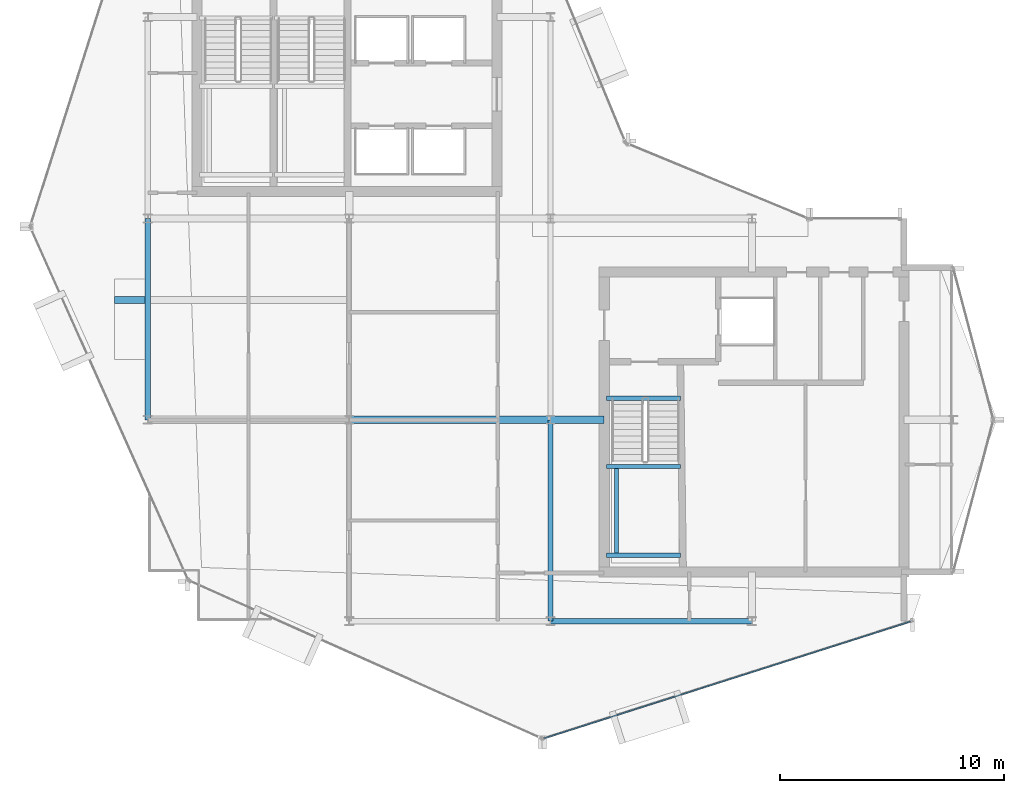
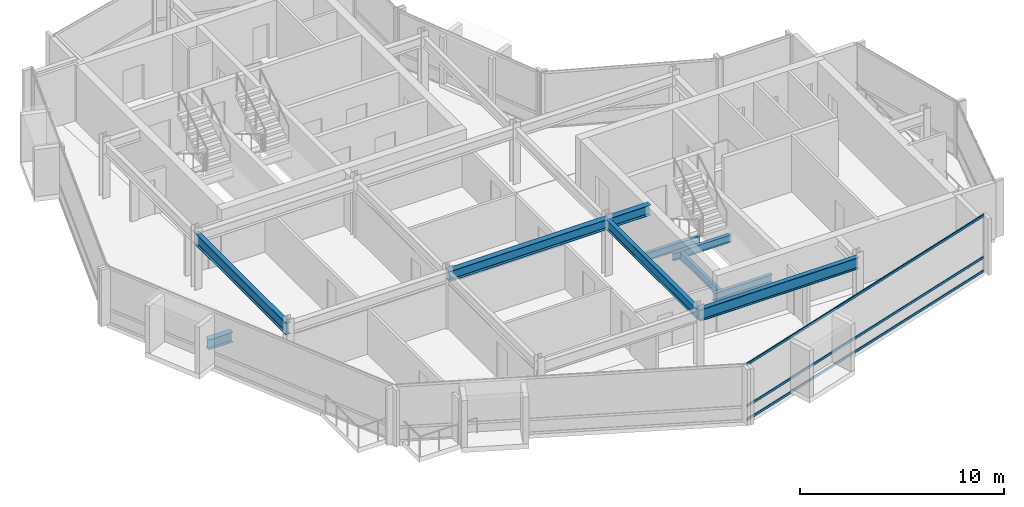
# One storey, part 5 of 19: 10 beams, 3 members, 1 element without a shape of its own.
"""IFC4 building model written with IfcOpenShell, lengths in metres."""

from ifc_helpers import new_model, si_unit, direction, frame, origin, origin_2d, place, context, subcontext, project, spatial, hollow_rectangle, i_section, extrude, material, layer, layer_set, material_profile, profile_set, type_object, element, aggregate, save


model = new_model("IFC4")

# Units and contexts
model_context = context("Model", 3, precision=1e-05, world=origin(), true_north=direction((0.0, 1.0)))
body_context = subcontext(model_context, "Body", "Model", "MODEL_VIEW")
ifc_project = project(units=[si_unit("LENGTHUNIT", "METRE"), si_unit("AREAUNIT", "SQUARE_METRE"), si_unit("VOLUMEUNIT", "CUBIC_METRE"), si_unit("PLANEANGLEUNIT", "RADIAN"), si_unit("MASSUNIT", "GRAM", prefix="KILO")], contexts=[model_context])

# Site, building, storey
site_placement = place(None, origin())
site = spatial("IfcSite", under=ifc_project, at=site_placement, CompositionType="ELEMENT")
building_placement = place(site_placement, origin())
building = spatial("IfcBuilding", under=site, at=building_placement, Name="Solvaryn Broadcast Tower", CompositionType="ELEMENT")
storey_placement = place(building_placement, frame((0.0, 0.0, 281.5)))
storey = spatial("IfcBuildingStorey", under=building, at=storey_placement, Name="L71", CompositionType="ELEMENT", Elevation=281.5)

# Beams
ifc_material_1 = material(Name="Steel ASTM A992 Grade 50", Category="steel")
ifc_material_profile_1 = material_profile(ifc_material_1, i_section(OverallWidth=0.323974609375, OverallDepth=0.611083984375, WebThickness=0.0126953125, FlangeThickness=0.01904296875, FilletRadius=0.014892578125, at=origin_2d()))
ifc_profile_set_1 = profile_set([ifc_material_profile_1], Name="Steel ASTM A992 Grade 50")
beam_type_1 = type_object("IfcBeamType", Name="BM-B1-W24X104", PredefinedType="BEAM", material=ifc_profile_set_1)
beam_1_placement = place(storey_placement, frame((18.0, 18.0, 3.064453125), z_axis=(1.0, 0.0, 0.0), x_axis=(0.0, 1.0, 0.0)))
element("IfcBeam", 1, at=beam_1_placement, inside=storey, type_object=beam_type_1, Name="L71 Primary Beam X (18-27 @ Y=18)", PredefinedType="BEAM", context=body_context, shape_type="SweptSolid", body=[
    extrude(i_section(OverallWidth=0.323974609375, OverallDepth=0.611083984375, WebThickness=0.0126953125, FlangeThickness=0.01904296875, FilletRadius=0.014892578125, at=origin_2d()), origin(), (0.0, 0.0, 1.0), 9.0),
])
beam_2_placement = place(storey_placement, frame((27.0, 18.0, 3.064453125), z_axis=(1.0, 0.0, 0.0), x_axis=(0.0, 1.0, 0.0)))
element("IfcBeam", 2, at=beam_2_placement, inside=storey, type_object=beam_type_1, Name="L71 Core Tie Beam CTE4", PredefinedType="BEAM", context=body_context, shape_type="SweptSolid", body=[
    extrude(i_section(OverallWidth=0.323974609375, OverallDepth=0.611083984375, WebThickness=0.0126953125, FlangeThickness=0.01904296875, FilletRadius=0.014892578125, at=origin_2d()), origin(), (0.0, 0.0, 1.0), 2.39990234375),
])
ifc_material_2 = material(Name="Steel ASTM A992 Grade 50", Category="steel")
ifc_material_profile_2 = material_profile(ifc_material_2, i_section(OverallWidth=0.22802734375, OverallDepth=0.60791015625, WebThickness=0.01123046875, FlangeThickness=0.017333984375, FilletRadius=0.014892578125, at=origin_2d()))
ifc_profile_set_2 = profile_set([ifc_material_profile_2], Name="Steel ASTM A992 Grade 50")
beam_type_2 = type_object("IfcBeamType", Name="BM-B2-W24X76", PredefinedType="BEAM", material=ifc_profile_set_2)
beam_3_placement = place(storey_placement, frame((27.0, 9.0, 3.06591796875), z_axis=(0.0, 1.0, 0.0), x_axis=(-1.0, 0.0, 0.0)))
element("IfcBeam", 3, at=beam_3_placement, inside=storey, type_object=beam_type_2, Name="L71 Primary Beam Y (9-18 @ X=27)", PredefinedType="BEAM", context=body_context, shape_type="SweptSolid", body=[
    extrude(i_section(OverallWidth=0.22802734375, OverallDepth=0.60791015625, WebThickness=0.01123046875, FlangeThickness=0.017333984375, FilletRadius=0.014892578125, at=origin_2d()), origin(), (0.0, 0.0, 1.0), 9.0),
])
ifc_material_3 = material(Name="Steel ASTM A992 Grade 50", Category="steel")
ifc_material_profile_3 = material_profile(ifc_material_3, i_section(OverallWidth=0.18994140625, OverallDepth=0.45703125, WebThickness=0.009033203125, FlangeThickness=0.014404296875, FilletRadius=0.011962890625, at=origin_2d()))
ifc_profile_set_3 = profile_set([ifc_material_profile_3], Name="Steel ASTM A992 Grade 50")
beam_type_3 = type_object("IfcBeamType", Name="BM-B4-W18X50", PredefinedType="BEAM", material=ifc_profile_set_3)
for number, where, z_axis, x_axis, name in (
    (4, (29.5, 18.9599609375, -0.508544921875), (1.0, 0.0, 0.0), (0.0, 1.0, 0.0), "L71 ST3 Stair Well Trimmer Beam"),
    (5, (29.5, 11.949951171875, 1.42138671875), (1.0, 0.0, 0.0), (0.0, 1.0, 0.0), "L71 ST3 Landing Support Beam 1A"),
    (6, (29.5, 15.909912109375, 1.42138671875), (1.0, 0.0, 0.0), (0.0, 1.0, 0.0), "L71 ST3 Landing Support Beam 1B"),
):
    element("IfcBeam", number, at=place(storey_placement, frame(where, z_axis=z_axis, x_axis=x_axis)), inside=storey, type_object=beam_type_3, Name=name, PredefinedType="BEAM", context=body_context, shape_type="SweptSolid", body=[
        extrude(i_section(OverallWidth=0.18994140625, OverallDepth=0.45703125, WebThickness=0.009033203125, FlangeThickness=0.014404296875, FilletRadius=0.011962890625, at=origin_2d()), origin(), (0.0, 0.0, 1.0), 3.320068359375),
    ])
beam_4_placement = place(storey_placement, frame((29.949951171875, 11.949951171875, 1.42138671875), z_axis=(0.0, 1.0, 0.0), x_axis=(-1.0, 0.0, 0.0)))
element("IfcBeam", 7, at=beam_4_placement, inside=storey, type_object=beam_type_3, Name="L71 ST3 Landing Cross Stringer 1C", PredefinedType="BEAM", context=body_context, shape_type="SweptSolid", body=[
    extrude(i_section(OverallWidth=0.18994140625, OverallDepth=0.45703125, WebThickness=0.009033203125, FlangeThickness=0.014404296875, FilletRadius=0.011962890625, at=origin_2d()), origin(), (0.0, 0.0, 1.0), 3.9599609375),
])
ifc_material_4 = material(Name="Steel ASTM A992 Grade 50", Category="steel")
ifc_material_profile_4 = material_profile(ifc_material_4, i_section(OverallWidth=0.323974609375, OverallDepth=0.611083984375, WebThickness=0.0126953125, FlangeThickness=0.01904296875, FilletRadius=0.014892578125, at=origin_2d()))
ifc_profile_set_4 = profile_set([ifc_material_profile_4], Name="Steel ASTM A992 Grade 50")
beam_type_4 = type_object("IfcBeamType", Name="BM-CANT-TER", PredefinedType="BEAM", material=ifc_profile_set_4)
beam_5_placement = place(storey_placement, frame((8.875, 23.35009765625, -0.58544921875), z_axis=(-1.0, 0.0, 0.0), x_axis=(0.0, -1.0, 0.0)))
element("IfcBeam", 8, at=beam_5_placement, inside=storey, type_object=beam_type_4, Name="L71 Bay-Box Cantilever Bracket 1", PredefinedType="BEAM", context=body_context, shape_type="SweptSolid", body=[
    extrude(i_section(OverallWidth=0.323974609375, OverallDepth=0.611083984375, WebThickness=0.0126953125, FlangeThickness=0.01904296875, FilletRadius=0.014892578125, at=origin_2d()), origin(), (0.0, 0.0, 1.0), 1.375),
])
ifc_material_5 = material(Name="Steel ASTM A992 Grade 50", Category="steel")
ifc_material_profile_5 = material_profile(ifc_material_5, i_section(OverallWidth=0.256103515625, OverallDepth=0.693115234375, WebThickness=0.014404296875, FlangeThickness=0.023681640625, FilletRadius=0.01611328125, at=origin_2d()))
ifc_profile_set_5 = profile_set([ifc_material_profile_5], Name="Steel ASTM A992 Grade 50")
beam_type_5 = type_object("IfcBeamType", Name="BM-SP3-W27X114", PredefinedType="USERDEFINED", material=ifc_profile_set_5)
for number, where, z_axis, x_axis, name in (
    (9, (27.0, 9.0, 3.0234375), (1.0, 0.0, 0.0), (0.0, 1.0, 0.0), "L71 Spandrel Beam X (27-36 @ Y=9)"),
    (10, (9.0, 18.0, 3.0234375), (0.0, 1.0, 0.0), (-1.0, 0.0, 0.0), "L71 Spandrel Beam Y (18-27 @ X=9)"),
):
    element("IfcBeam", number, at=place(storey_placement, frame(where, z_axis=z_axis, x_axis=x_axis)), inside=storey, type_object=beam_type_5, Name=name, ObjectType="SPANDREL", PredefinedType="USERDEFINED", context=body_context, shape_type="SweptSolid", body=[
        extrude(i_section(OverallWidth=0.256103515625, OverallDepth=0.693115234375, WebThickness=0.014404296875, FlangeThickness=0.023681640625, FilletRadius=0.01611328125, at=origin_2d()), origin(), (0.0, 0.0, 1.0), 9.0),
    ])

# Curtain wall, members
ifc_material_6 = material(Name="Aluminium and Terracotta Unitised Curtain Wall", Category="masonry")
ifc_layer = layer(ifc_material_6, 0.199951171875)
ifc_layer_set = layer_set([ifc_layer], Name="CW-SYS2-LOWMID")
curtain_wall_type = type_object("IfcCurtainWallType", Name="CW-SYS2-LOWMID", PredefinedType="NOTDEFINED", material=ifc_layer_set)
curtain_wall_placement = place(storey_placement, origin())
curtain_wall = element("IfcCurtainWall", 11, at=curtain_wall_placement, inside=storey, type_object=curtain_wall_type, Name="L71 Curtain Wall DR4", PredefinedType="NOTDEFINED")
ifc_material_7 = material(Name="Anodised Aluminium 6063-T6", Category="aluminium")
ifc_material_profile_6 = material_profile(ifc_material_7, hollow_rectangle(XDim=0.06494140625, YDim=0.14990234375, WallThickness=0.00390625, InnerFilletRadius=0.00390625, OuterFilletRadius=0.008056640625, at=origin_2d()))
ifc_profile_set_6 = profile_set([ifc_material_profile_6], Name="Anodised Aluminium 6063-T6")
member_type = type_object("IfcMemberType", Name="CW-TRN-150", PredefinedType="USERDEFINED", material=ifc_profile_set_6)
member_1_placement = place(storey_placement, frame((26.693115234375, 3.756103515625, 0.030029296875), z_axis=(0.952794352661, 0.303616405252, 0.0), x_axis=(-0.303616405252, 0.952794352661, 0.0)))
member_1 = element("IfcMember", 12, at=member_1_placement, type_object=member_type, Name="CWS2 transom 1.1", ObjectType="TRANSOM", PredefinedType="USERDEFINED", context=body_context, shape_type="SweptSolid", body=[
    extrude(hollow_rectangle(XDim=0.06494140625, YDim=0.14990234375, WallThickness=0.00390625, InnerFilletRadius=0.00390625, OuterFilletRadius=0.008056640625, at=origin_2d()), origin(), (0.0, 0.0, 1.0), 17.211181640625),
])
member_2_placement = place(storey_placement, frame((26.693115234375, 3.756103515625, 0.85009765625), z_axis=(0.952794352661, 0.303616405252, 0.0), x_axis=(-0.303616405252, 0.952794352661, 0.0)))
member_2 = element("IfcMember", 13, at=member_2_placement, type_object=member_type, Name="CWS2 transom 1.2", ObjectType="TRANSOM", PredefinedType="USERDEFINED", context=body_context, shape_type="SweptSolid", body=[
    extrude(hollow_rectangle(XDim=0.06494140625, YDim=0.14990234375, WallThickness=0.00390625, InnerFilletRadius=0.00390625, OuterFilletRadius=0.008056640625, at=origin_2d()), origin(), (0.0, 0.0, 1.0), 17.211181640625),
])
member_3_placement = place(storey_placement, frame((26.693115234375, 3.756103515625, 3.340087890625), z_axis=(0.952794352661, 0.303616405252, 0.0), x_axis=(-0.303616405252, 0.952794352661, 0.0)))
member_3 = element("IfcMember", 14, at=member_3_placement, type_object=member_type, Name="CWS2 transom 1.3", ObjectType="TRANSOM", PredefinedType="USERDEFINED", context=body_context, shape_type="SweptSolid", body=[
    extrude(hollow_rectangle(XDim=0.06494140625, YDim=0.14990234375, WallThickness=0.00390625, InnerFilletRadius=0.00390625, OuterFilletRadius=0.008056640625, at=origin_2d()), origin(), (0.0, 0.0, 1.0), 17.211181640625),
])
aggregate(curtain_wall, [member_1, member_2, member_3])

save(model, "model.ifc")
